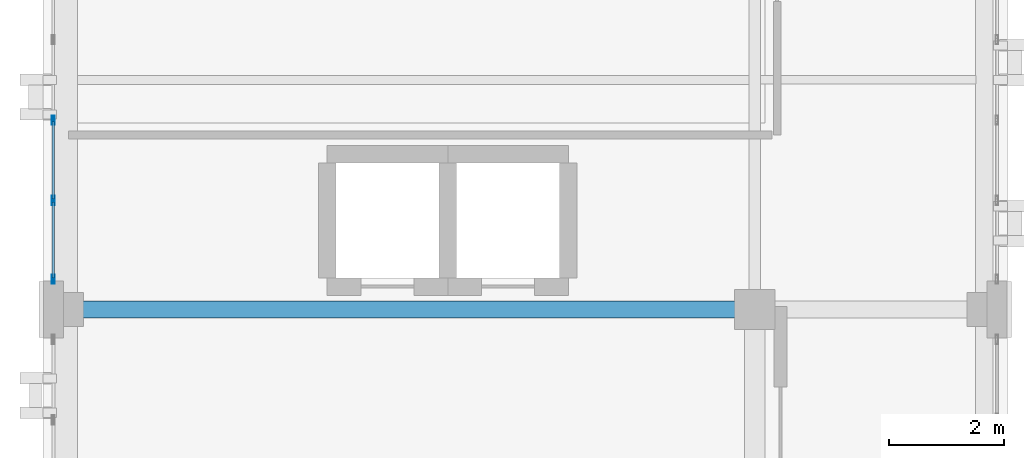
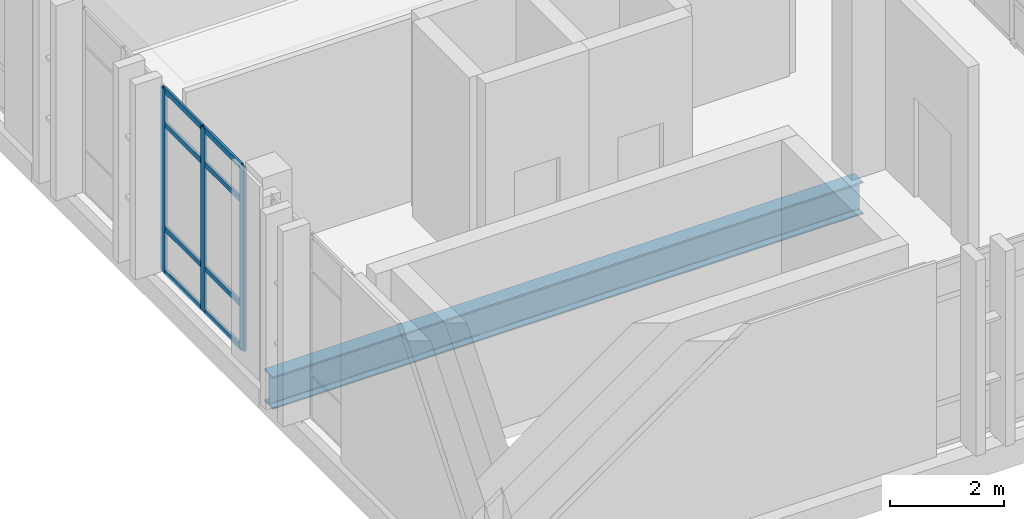
# One storey, part 4 of 48: 11 members, 1 beam, 1 element without a shape of its own.
"""IFC4 building model written with IfcOpenShell, lengths in metres."""

from ifc_helpers import new_model, si_unit, direction, frame, origin, origin_2d, place, context, subcontext, project, spatial, hollow_rectangle, i_section, extrude, material, layer, layer_set, material_profile, profile_set, type_object, element, aggregate, save


model = new_model("IFC4")

# Units and contexts
model_context = context("Model", 3, precision=1e-05, world=origin(), true_north=direction((0.0, 1.0)))
body_context = subcontext(model_context, "Body", "Model", "MODEL_VIEW")
ifc_project = project(units=[si_unit("LENGTHUNIT", "METRE"), si_unit("AREAUNIT", "SQUARE_METRE"), si_unit("VOLUMEUNIT", "CUBIC_METRE"), si_unit("PLANEANGLEUNIT", "RADIAN"), si_unit("MASSUNIT", "GRAM", prefix="KILO")], contexts=[model_context])

# Site, building, storey
site_placement = place(None, origin())
site = spatial("IfcSite", under=ifc_project, at=site_placement, CompositionType="ELEMENT")
building_placement = place(site_placement, origin())
building = spatial("IfcBuilding", under=site, at=building_placement, Name="Qalavern Law Courts", CompositionType="ELEMENT")
storey_placement = place(building_placement, frame((0.0, 0.0, 31.199951171875)))
storey = spatial("IfcBuildingStorey", under=building, at=storey_placement, Name="L07", CompositionType="ELEMENT", Elevation=31.199951171875)

# Curtain wall, members
ifc_material_1 = material(Name="Anodised aluminium and insulated glazing", Category="aluminium")
ifc_layer = layer(ifc_material_1, 0.159912109375)
ifc_layer_set = layer_set([ifc_layer], Name="Anodised aluminium and insulated glazing")
curtain_wall_type = type_object("IfcCurtainWallType", Name="ENV-CW-CHAMB", PredefinedType="USERDEFINED", material=ifc_layer_set)
curtain_wall_placement = place(storey_placement, origin())
curtain_wall = element("IfcCurtainWall", 1, at=curtain_wall_placement, inside=storey, type_object=curtain_wall_type, Name="V3 unitised curtain wall L07 west 4", ObjectType="UNITISED CURTAIN WALL", PredefinedType="USERDEFINED")
ifc_material_2 = material(Name="Anodised aluminium", Category="aluminium")
ifc_material_profile_1 = material_profile(ifc_material_2, hollow_rectangle(XDim=0.048095703125, YDim=0.159912109375, WallThickness=0.00390625, at=origin_2d()), Name="ALU MULLION 48x160")
ifc_profile_set_1 = profile_set([ifc_material_profile_1], Name="Anodised aluminium")
member_type_1 = type_object("IfcMemberType", Name="ENV-CWM-48x160", PredefinedType="MULLION", material=ifc_profile_set_1)
member_1_placement = place(storey_placement, frame((2.177490234375, 52.699951171875, 0.0), z_axis=(0.0, 0.0, 1.0), x_axis=(1.0, 0.0, 0.0)))
member_1 = element("IfcMember", 2, at=member_1_placement, type_object=member_type_1, Name="CW-04 mullion 4", PredefinedType="MULLION", context=body_context, shape_type="SweptSolid", body=[
    extrude(hollow_rectangle(XDim=0.048095703125, YDim=0.159912109375, WallThickness=0.00390625, at=origin_2d()), origin(), (0.0, 0.0, 1.0), 3.93994140625),
])
member_2_placement = place(storey_placement, frame((2.177490234375, 51.300048828125, 0.0), z_axis=(0.0, 0.0, 1.0), x_axis=(1.0, 0.0, 0.0)))
member_2 = element("IfcMember", 3, at=member_2_placement, type_object=member_type_1, Name="CW-04 mullion 5", PredefinedType="MULLION", context=body_context, shape_type="SweptSolid", body=[
    extrude(hollow_rectangle(XDim=0.048095703125, YDim=0.159912109375, WallThickness=0.00390625, at=origin_2d()), origin(), (0.0, 0.0, 1.0), 3.93994140625),
])
member_3_placement = place(storey_placement, frame((2.177490234375, 49.924072265625, 0.0), z_axis=(0.0, 0.0, 1.0), x_axis=(1.0, 0.0, 0.0)))
member_3 = element("IfcMember", 4, at=member_3_placement, type_object=member_type_1, Name="CW-04 mullion 6", PredefinedType="MULLION", context=body_context, shape_type="SweptSolid", body=[
    extrude(hollow_rectangle(XDim=0.048095703125, YDim=0.159912109375, WallThickness=0.00390625, at=origin_2d()), origin(), (0.0, 0.0, 1.0), 3.93994140625),
])
ifc_material_profile_2 = material_profile(ifc_material_2, hollow_rectangle(XDim=0.048095703125, YDim=0.1201171875, WallThickness=0.00390625, at=origin_2d()), Name="ALU TRANSOM 48x120")
ifc_profile_set_2 = profile_set([ifc_material_profile_2], Name="Anodised aluminium")
member_type_2 = type_object("IfcMemberType", Name="ENV-CWT-48x120", PredefinedType="USERDEFINED", material=ifc_profile_set_2)
member_4_placement = place(storey_placement, frame((2.177490234375, 52.676025390625, 0.024169921875), z_axis=(0.0, -1.0, 0.0), x_axis=(1.0, 0.0, 0.0)))
member_4 = element("IfcMember", 5, at=member_4_placement, type_object=member_type_2, Name="CW-04 transom 4.1", ObjectType="TRANSOM", PredefinedType="USERDEFINED", context=body_context, shape_type="SweptSolid", body=[
    extrude(hollow_rectangle(XDim=0.048095703125, YDim=0.1201171875, WallThickness=0.00390625, at=origin_2d()), origin(), (0.0, 0.0, 1.0), 1.35205078125),
])
member_5_placement = place(storey_placement, frame((2.177490234375, 52.676025390625, 0.949951171875), z_axis=(0.0, -1.0, 0.0), x_axis=(1.0, 0.0, 0.0)))
member_5 = element("IfcMember", 6, at=member_5_placement, type_object=member_type_2, Name="CW-04 transom 4.2", ObjectType="TRANSOM", PredefinedType="USERDEFINED", context=body_context, shape_type="SweptSolid", body=[
    extrude(hollow_rectangle(XDim=0.048095703125, YDim=0.1201171875, WallThickness=0.00390625, at=origin_2d()), origin(), (0.0, 0.0, 1.0), 1.35205078125),
])
member_6_placement = place(storey_placement, frame((2.177490234375, 52.676025390625, 3.18994140625), z_axis=(0.0, -1.0, 0.0), x_axis=(1.0, 0.0, 0.0)))
member_6 = element("IfcMember", 7, at=member_6_placement, type_object=member_type_2, Name="CW-04 transom 4.3", ObjectType="TRANSOM", PredefinedType="USERDEFINED", context=body_context, shape_type="SweptSolid", body=[
    extrude(hollow_rectangle(XDim=0.048095703125, YDim=0.1201171875, WallThickness=0.00390625, at=origin_2d()), origin(), (0.0, 0.0, 1.0), 1.35205078125),
])
member_7_placement = place(storey_placement, frame((2.177490234375, 52.676025390625, 3.916015625), z_axis=(0.0, -1.0, 0.0), x_axis=(1.0, 0.0, 0.0)))
member_7 = element("IfcMember", 8, at=member_7_placement, type_object=member_type_2, Name="CW-04 transom 4.4", ObjectType="TRANSOM", PredefinedType="USERDEFINED", context=body_context, shape_type="SweptSolid", body=[
    extrude(hollow_rectangle(XDim=0.048095703125, YDim=0.1201171875, WallThickness=0.00390625, at=origin_2d()), origin(), (0.0, 0.0, 1.0), 1.35205078125),
])
member_8_placement = place(storey_placement, frame((2.177490234375, 51.27587890625, 0.024169921875), z_axis=(0.0, -1.0, 0.0), x_axis=(1.0, 0.0, 0.0)))
member_8 = element("IfcMember", 9, at=member_8_placement, type_object=member_type_2, Name="CW-04 transom 5.1", ObjectType="TRANSOM", PredefinedType="USERDEFINED", context=body_context, shape_type="SweptSolid", body=[
    extrude(hollow_rectangle(XDim=0.048095703125, YDim=0.1201171875, WallThickness=0.00390625, at=origin_2d()), origin(), (0.0, 0.0, 1.0), 1.327880859375),
])
member_9_placement = place(storey_placement, frame((2.177490234375, 51.27587890625, 0.949951171875), z_axis=(0.0, -1.0, 0.0), x_axis=(1.0, 0.0, 0.0)))
member_9 = element("IfcMember", 10, at=member_9_placement, type_object=member_type_2, Name="CW-04 transom 5.2", ObjectType="TRANSOM", PredefinedType="USERDEFINED", context=body_context, shape_type="SweptSolid", body=[
    extrude(hollow_rectangle(XDim=0.048095703125, YDim=0.1201171875, WallThickness=0.00390625, at=origin_2d()), origin(), (0.0, 0.0, 1.0), 1.327880859375),
])
member_10_placement = place(storey_placement, frame((2.177490234375, 51.27587890625, 3.18994140625), z_axis=(0.0, -1.0, 0.0), x_axis=(1.0, 0.0, 0.0)))
member_10 = element("IfcMember", 11, at=member_10_placement, type_object=member_type_2, Name="CW-04 transom 5.3", ObjectType="TRANSOM", PredefinedType="USERDEFINED", context=body_context, shape_type="SweptSolid", body=[
    extrude(hollow_rectangle(XDim=0.048095703125, YDim=0.1201171875, WallThickness=0.00390625, at=origin_2d()), origin(), (0.0, 0.0, 1.0), 1.327880859375),
])
member_11_placement = place(storey_placement, frame((2.177490234375, 51.27587890625, 3.916015625), z_axis=(0.0, -1.0, 0.0), x_axis=(1.0, 0.0, 0.0)))
member_11 = element("IfcMember", 12, at=member_11_placement, type_object=member_type_2, Name="CW-04 transom 5.4", ObjectType="TRANSOM", PredefinedType="USERDEFINED", context=body_context, shape_type="SweptSolid", body=[
    extrude(hollow_rectangle(XDim=0.048095703125, YDim=0.1201171875, WallThickness=0.00390625, at=origin_2d()), origin(), (0.0, 0.0, 1.0), 1.327880859375),
])
aggregate(curtain_wall, [member_1, member_2, member_3, member_4, member_5, member_6, member_7, member_8, member_9, member_10, member_11])

# Beam
ifc_material_3 = material(Name="Steel S355", Category="steel")
ifc_material_profile_3 = material_profile(ifc_material_3, i_section(OverallWidth=0.300048828125, OverallDepth=0.699951171875, WebThickness=0.01708984375, FlangeThickness=0.031982421875, FilletRadius=0.027099609375, at=origin_2d()), Name="HEB 700")
ifc_profile_set_3 = profile_set([ifc_material_profile_3], Name="Steel S355")
beam_type = type_object("IfcBeamType", Name="STR-BM-HEB700", PredefinedType="BEAM", material=ifc_profile_set_3)
beam_placement = place(storey_placement, frame((2.39990234375, 49.39990234375, -0.614990234375), z_axis=(1.0, 0.0, 0.0), x_axis=(0.0, 1.0, 0.0)))
element("IfcBeam", 13, at=beam_placement, inside=storey, type_object=beam_type, Name="V3 X-beam 2-1 L07", PredefinedType="BEAM", context=body_context, shape_type="SweptSolid", body=[
    extrude(i_section(OverallWidth=0.300048828125, OverallDepth=0.699951171875, WebThickness=0.01708984375, FlangeThickness=0.031982421875, FilletRadius=0.027099609375, at=origin_2d()), origin(), (0.0, 0.0, 1.0), 12.0),
])

save(model, "model.ifc")
